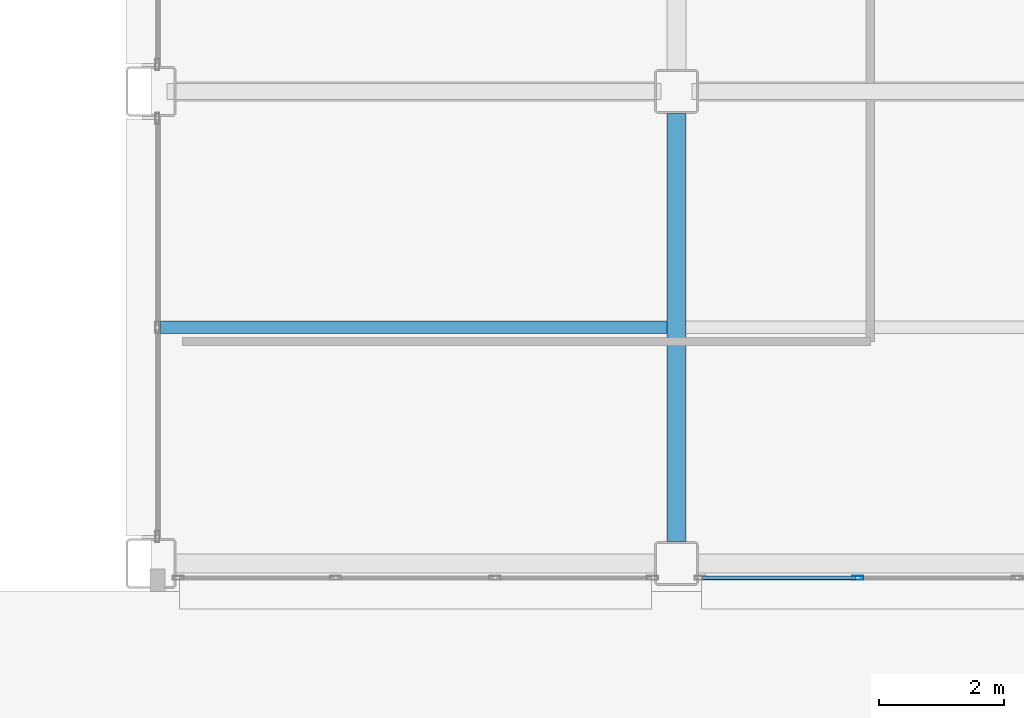
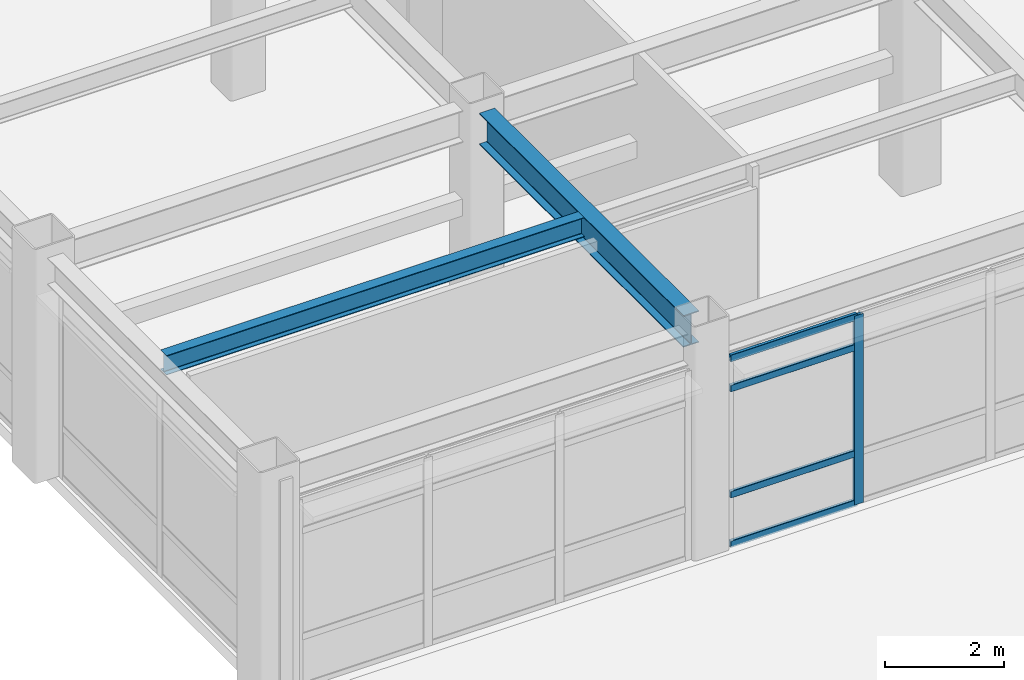
# One storey, part 92 of 172: 5 members, 2 beams, 1 element without a shape of its own.
"""IFC4 building model written with IfcOpenShell, lengths in metres."""

from ifc_helpers import new_model, si_unit, direction, frame, origin, origin_2d, place, context, subcontext, project, spatial, hollow_rectangle, i_section, extrude, material, layer, layer_set, material_profile, profile_set, type_object, element, aggregate, save


model = new_model("IFC4")

# Units and contexts
model_context = context("Model", 3, precision=1e-05, world=origin(), true_north=direction((0.0, 1.0)))
body_context = subcontext(model_context, "Body", "Model", "MODEL_VIEW")
ifc_project = project(units=[si_unit("LENGTHUNIT", "METRE"), si_unit("AREAUNIT", "SQUARE_METRE"), si_unit("VOLUMEUNIT", "CUBIC_METRE"), si_unit("PLANEANGLEUNIT", "RADIAN"), si_unit("MASSUNIT", "GRAM", prefix="KILO")], contexts=[model_context])

# Site, building, storey
site_placement = place(None, origin())
site = spatial("IfcSite", under=ifc_project, at=site_placement, CompositionType="ELEMENT")
building_placement = place(site_placement, origin())
building = spatial("IfcBuilding", under=site, at=building_placement, Name="Kazehara Bluff Congress Hotel", CompositionType="ELEMENT")
storey_placement = place(building_placement, frame((0.0, 0.0, 5.39990234375)))
storey = spatial("IfcBuildingStorey", under=building, at=storey_placement, Name="L01", CompositionType="ELEMENT", Elevation=5.39990234375)

# Curtain wall, members
ifc_material_1 = material(Name="Anodised aluminium", Category="aluminium")
ifc_layer = layer(ifc_material_1, 0.159912109375)
ifc_layer_set = layer_set([ifc_layer], Name="Anodised aluminium")
curtain_wall_type = type_object("IfcCurtainWallType", Name="TP-CW-22", PredefinedType="NOTDEFINED", material=ifc_layer_set)
curtain_wall_placement = place(storey_placement, origin())
curtain_wall = element("IfcCurtainWall", 1, at=curtain_wall_placement, inside=storey, type_object=curtain_wall_type, Name="L01 curtain wall CW-22 CW-ENC-V5-L01-15627-22", PredefinedType="NOTDEFINED")
ifc_material_2 = material(Name="Anodised aluminium", Category="aluminium")
ifc_material_profile_1 = material_profile(ifc_material_2, hollow_rectangle(XDim=0.06494140625, YDim=0.179931640625, WallThickness=0.00390625, InnerFilletRadius=0.00390625, OuterFilletRadius=0.008056640625, at=origin_2d()))
ifc_profile_set_1 = profile_set([ifc_material_profile_1], Name="Anodised aluminium")
member_type_1 = type_object("IfcMemberType", Name="TP-CWM-02", PredefinedType="MULLION", material=ifc_profile_set_1)
member_1_placement = place(storey_placement, frame((155.0, 0.219970703125, 0.0), z_axis=(0.0, 0.0, 1.0), x_axis=(0.0, -1.0, 0.0)))
member_1 = element("IfcMember", 2, at=member_1_placement, type_object=member_type_1, Name="CW-22 mullion 3", PredefinedType="MULLION", context=body_context, shape_type="SweptSolid", body=[
    extrude(hollow_rectangle(XDim=0.06494140625, YDim=0.179931640625, WallThickness=0.00390625, InnerFilletRadius=0.00390625, OuterFilletRadius=0.008056640625, at=origin_2d()), origin(), (0.0, 0.0, 1.0), 3.875),
])
ifc_material_3 = material(Name="Anodised aluminium", Category="aluminium")
ifc_material_profile_2 = material_profile(ifc_material_3, hollow_rectangle(XDim=0.06494140625, YDim=0.139892578125, WallThickness=0.00390625, InnerFilletRadius=0.00390625, OuterFilletRadius=0.008056640625, at=origin_2d()))
ifc_profile_set_2 = profile_set([ifc_material_profile_2], Name="Anodised aluminium")
member_type_2 = type_object("IfcMemberType", Name="TP-CWT-02", PredefinedType="USERDEFINED", material=ifc_profile_set_2)
member_2_placement = place(storey_placement, frame((154.967529296875, 0.219970703125, 0.03271484375), z_axis=(-1.0, 0.0, 0.0), x_axis=(0.0, -1.0, 0.0)))
member_2 = element("IfcMember", 3, at=member_2_placement, type_object=member_type_2, Name="CW-22 transom 3.1", ObjectType="TRANSOM", PredefinedType="USERDEFINED", context=body_context, shape_type="SweptSolid", body=[
    extrude(hollow_rectangle(XDim=0.06494140625, YDim=0.139892578125, WallThickness=0.00390625, InnerFilletRadius=0.00390625, OuterFilletRadius=0.008056640625, at=origin_2d()), origin(), (0.0, 0.0, 1.0), 2.45263671875),
])
member_3_placement = place(storey_placement, frame((154.967529296875, 0.219970703125, 1.050048828125), z_axis=(-1.0, 0.0, 0.0), x_axis=(0.0, -1.0, 0.0)))
member_3 = element("IfcMember", 4, at=member_3_placement, type_object=member_type_2, Name="CW-22 transom 3.2", ObjectType="TRANSOM", PredefinedType="USERDEFINED", context=body_context, shape_type="SweptSolid", body=[
    extrude(hollow_rectangle(XDim=0.06494140625, YDim=0.139892578125, WallThickness=0.00390625, InnerFilletRadius=0.00390625, OuterFilletRadius=0.008056640625, at=origin_2d()), origin(), (0.0, 0.0, 1.0), 2.45263671875),
])
member_4_placement = place(storey_placement, frame((154.967529296875, 0.219970703125, 3.22509765625), z_axis=(-1.0, 0.0, 0.0), x_axis=(0.0, -1.0, 0.0)))
member_4 = element("IfcMember", 5, at=member_4_placement, type_object=member_type_2, Name="CW-22 transom 3.3", ObjectType="TRANSOM", PredefinedType="USERDEFINED", context=body_context, shape_type="SweptSolid", body=[
    extrude(hollow_rectangle(XDim=0.06494140625, YDim=0.139892578125, WallThickness=0.00390625, InnerFilletRadius=0.00390625, OuterFilletRadius=0.008056640625, at=origin_2d()), origin(), (0.0, 0.0, 1.0), 2.45263671875),
])
member_5_placement = place(storey_placement, frame((154.967529296875, 0.219970703125, 3.842529296875), z_axis=(-1.0, 0.0, 0.0), x_axis=(0.0, -1.0, 0.0)))
member_5 = element("IfcMember", 6, at=member_5_placement, type_object=member_type_2, Name="CW-22 transom 3.4", ObjectType="TRANSOM", PredefinedType="USERDEFINED", context=body_context, shape_type="SweptSolid", body=[
    extrude(hollow_rectangle(XDim=0.06494140625, YDim=0.139892578125, WallThickness=0.00390625, InnerFilletRadius=0.00390625, OuterFilletRadius=0.008056640625, at=origin_2d()), origin(), (0.0, 0.0, 1.0), 2.45263671875),
])
aggregate(curtain_wall, [member_1, member_2, member_3, member_4, member_5])

# Beams
ifc_material_4 = material(Name="Steel SN490B", Category="steel")
ifc_material_profile_3 = material_profile(ifc_material_4, i_section(OverallWidth=0.300048828125, OverallDepth=0.64990234375, WebThickness=0.011962890625, FlangeThickness=0.02001953125, FilletRadius=0.012939453125, at=origin_2d()))
ifc_profile_set_3 = profile_set([ifc_material_profile_3], Name="Steel SN490B")
beam_type_1 = type_object("IfcBeamType", Name="TP-G-03", PredefinedType="BEAM", material=ifc_profile_set_3)
beam_1_placement = place(storey_placement, frame((152.10009765625, 0.800048828125, 4.22509765625), z_axis=(0.0, 1.0, 0.0), x_axis=(-1.0, 0.0, 0.0)))
element("IfcBeam", 7, at=beam_1_placement, inside=storey, type_object=beam_type_1, Name="L01 girder G-03 242", PredefinedType="BEAM", context=body_context, shape_type="SweptSolid", body=[
    extrude(i_section(OverallWidth=0.300048828125, OverallDepth=0.64990234375, WebThickness=0.011962890625, FlangeThickness=0.02001953125, FilletRadius=0.012939453125, at=origin_2d()), origin(), (0.0, 0.0, 1.0), 6.849853515625),
])
ifc_material_5 = material(Name="Steel SN400B", Category="steel")
ifc_material_profile_4 = material_profile(ifc_material_5, i_section(OverallWidth=0.199951171875, OverallDepth=0.39990234375, WebThickness=0.008056640625, FlangeThickness=0.012939453125, FilletRadius=0.012939453125, at=origin_2d()))
ifc_profile_set_4 = profile_set([ifc_material_profile_4], Name="Steel SN400B")
beam_type_2 = type_object("IfcBeamType", Name="TP-J-03", PredefinedType="JOIST", material=ifc_profile_set_4)
beam_2_placement = place(storey_placement, frame((143.85009765625, 4.22509765625, 4.35009765625), z_axis=(1.0, 0.0, 0.0), x_axis=(0.0, 1.0, 0.0)))
element("IfcBeam", 8, at=beam_2_placement, inside=storey, type_object=beam_type_2, Name="L01 secondary joist J-03 63", PredefinedType="JOIST", context=body_context, shape_type="SweptSolid", body=[
    extrude(i_section(OverallWidth=0.199951171875, OverallDepth=0.39990234375, WebThickness=0.008056640625, FlangeThickness=0.012939453125, FilletRadius=0.012939453125, at=origin_2d()), origin(), (0.0, 0.0, 1.0), 8.099853515625),
])

save(model, "model.ifc")
